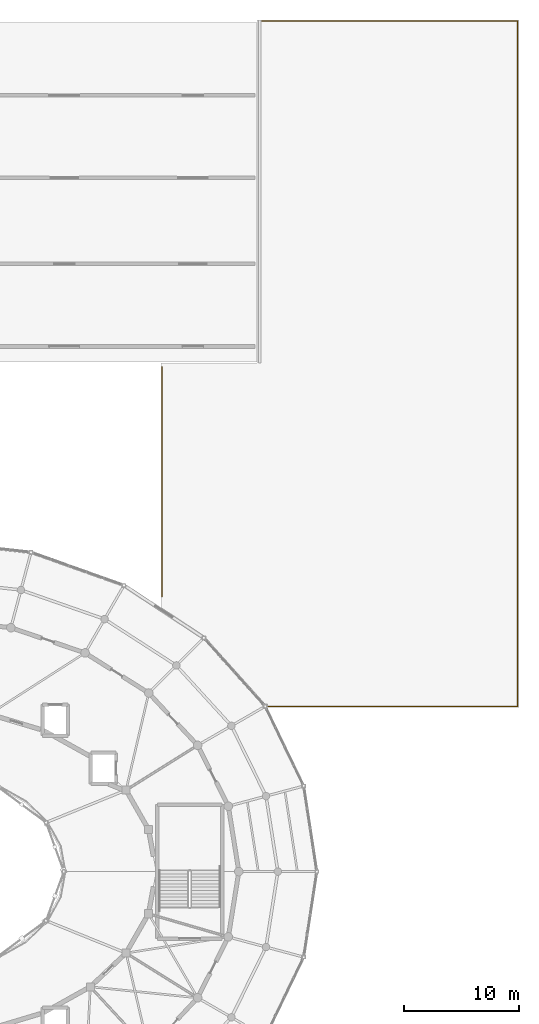
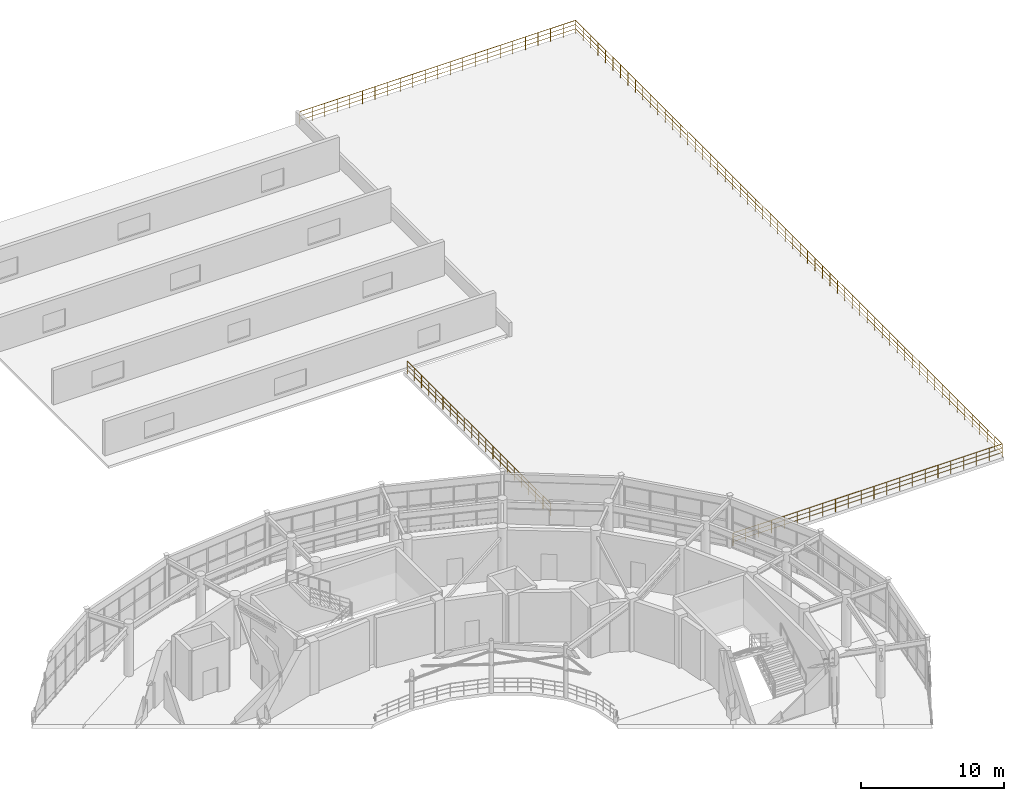
# One storey, part 60 of 60: 4 railings.
"""IFC4 building model written with IfcOpenShell, lengths in metres."""

from ifc_helpers import new_model, si_unit, direction, frame, origin, origin_2d, place, context, subcontext, project, spatial, circle, extrude, material, type_object, element, save


model = new_model("IFC4")

# Units and contexts
model_context = context("Model", 3, precision=1e-05, world=origin(), true_north=direction((0.0, 1.0)))
body_context = subcontext(model_context, "Body", "Model", "MODEL_VIEW")
ifc_project = project(units=[si_unit("LENGTHUNIT", "METRE"), si_unit("AREAUNIT", "SQUARE_METRE"), si_unit("VOLUMEUNIT", "CUBIC_METRE"), si_unit("PLANEANGLEUNIT", "RADIAN"), si_unit("MASSUNIT", "GRAM", prefix="KILO")], contexts=[model_context])

# Site, building, storey
site_placement = place(None, origin())
site = spatial("IfcSite", under=ifc_project, at=site_placement, CompositionType="ELEMENT")
building_placement = place(site_placement, origin())
building = spatial("IfcBuilding", under=site, at=building_placement, Name="Cinderbank Siding Concert Hall", CompositionType="ELEMENT")
storey_placement = place(building_placement, frame((0.0, 0.0, 14.699951171875)))
storey = spatial("IfcBuildingStorey", under=building, at=storey_placement, Name="L04", CompositionType="ELEMENT", Elevation=14.699951171875)

# Railings
ifc_material = material(Name="Structural steel AS/NZS 3679.1 Grade 350 (340 MPa)", Category="steel")
railing_type = type_object("IfcRailingType", Name="GD-01 Terrace & Perimeter Guardrail 1120mm", PredefinedType="GUARDRAIL", material=ifc_material)
railing_1_placement = place(storey_placement, frame((142.10009765625, 67.96435546875, 0.0)))
element("IfcRailing", 1, at=railing_1_placement, inside=storey, type_object=railing_type, Name="L04 Perimeter Guardrail #83", PredefinedType="GUARDRAIL", context=body_context, shape_type="SweptSolid", body=[
    extrude(circle(Radius=0.02392578125, at=origin_2d()), frame((0.0, 0.0, 1.09619140625), z_axis=(0.0, 1.0, 0.0), x_axis=(-1.0, 0.0, 0.0)), (0.0, 0.0, 1.0), 20.015625),
    extrude(circle(Radius=0.01611328125, at=origin_2d()), frame((0.0, 0.0, 0.36962890625), z_axis=(0.0, 1.0, 0.0), x_axis=(-1.0, 0.0, 0.0)), (0.0, 0.0, 1.0), 20.015625),
    extrude(circle(Radius=0.01611328125, at=origin_2d()), frame((0.0, 0.0, 0.7392578125), z_axis=(0.0, 1.0, 0.0), x_axis=(-1.0, 0.0, 0.0)), (0.0, 0.0, 1.0), 20.015625),
    extrude(circle(Radius=0.02099609375, at=origin_2d()), origin(), (0.0, 0.0, 1.0), 1.072021484375),
    extrude(circle(Radius=0.02099609375, at=origin_2d()), frame((0.0, 1.000732421875, 0.0)), (0.0, 0.0, 1.0), 1.072021484375),
    extrude(circle(Radius=0.02099609375, at=origin_2d()), frame((0.0, 2.00146484375, 0.0)), (0.0, 0.0, 1.0), 1.072021484375),
    extrude(circle(Radius=0.02099609375, at=origin_2d()), frame((0.0, 3.00244140625, 0.0)), (0.0, 0.0, 1.0), 1.072021484375),
    extrude(circle(Radius=0.02099609375, at=origin_2d()), frame((0.0, 4.003173828125, 0.0)), (0.0, 0.0, 1.0), 1.072021484375),
    extrude(circle(Radius=0.02099609375, at=origin_2d()), frame((0.0, 5.00390625, 0.0)), (0.0, 0.0, 1.0), 1.072021484375),
    extrude(circle(Radius=0.02099609375, at=origin_2d()), frame((0.0, 6.004638671875, 0.0)), (0.0, 0.0, 1.0), 1.072021484375),
    extrude(circle(Radius=0.02099609375, at=origin_2d()), frame((0.0, 7.00537109375, 0.0)), (0.0, 0.0, 1.0), 1.072021484375),
    extrude(circle(Radius=0.02099609375, at=origin_2d()), frame((0.0, 8.00634765625, 0.0)), (0.0, 0.0, 1.0), 1.072021484375),
    extrude(circle(Radius=0.02099609375, at=origin_2d()), frame((0.0, 9.007080078125, 0.0)), (0.0, 0.0, 1.0), 1.072021484375),
    extrude(circle(Radius=0.02099609375, at=origin_2d()), frame((0.0, 10.0078125, 0.0)), (0.0, 0.0, 1.0), 1.072021484375),
    extrude(circle(Radius=0.02099609375, at=origin_2d()), frame((0.0, 11.008544921875, 0.0)), (0.0, 0.0, 1.0), 1.072021484375),
    extrude(circle(Radius=0.02099609375, at=origin_2d()), frame((0.0, 12.00927734375, 0.0)), (0.0, 0.0, 1.0), 1.072021484375),
    extrude(circle(Radius=0.02099609375, at=origin_2d()), frame((0.0, 13.01025390625, 0.0)), (0.0, 0.0, 1.0), 1.072021484375),
    extrude(circle(Radius=0.02099609375, at=origin_2d()), frame((0.0, 14.010986328125, 0.0)), (0.0, 0.0, 1.0), 1.072021484375),
    extrude(circle(Radius=0.02099609375, at=origin_2d()), frame((0.0, 15.01171875, 0.0)), (0.0, 0.0, 1.0), 1.072021484375),
    extrude(circle(Radius=0.02099609375, at=origin_2d()), frame((0.0, 16.012451171875, 0.0)), (0.0, 0.0, 1.0), 1.072021484375),
    extrude(circle(Radius=0.02099609375, at=origin_2d()), frame((0.0, 17.01318359375, 0.0)), (0.0, 0.0, 1.0), 1.072021484375),
    extrude(circle(Radius=0.02099609375, at=origin_2d()), frame((0.0, 18.01416015625, 0.0)), (0.0, 0.0, 1.0), 1.072021484375),
    extrude(circle(Radius=0.02099609375, at=origin_2d()), frame((0.0, 19.014892578125, 0.0)), (0.0, 0.0, 1.0), 1.072021484375),
    extrude(circle(Radius=0.02099609375, at=origin_2d()), frame((0.0, 20.015625, 0.0)), (0.0, 0.0, 1.0), 1.072021484375),
])
railing_2_placement = place(storey_placement, frame((150.807373046875, 118.10009765625, 0.0)))
element("IfcRailing", 2, at=railing_2_placement, inside=storey, type_object=railing_type, Name="L04 Perimeter Guardrail #84", PredefinedType="GUARDRAIL", context=body_context, shape_type="SweptSolid", body=[
    extrude(circle(Radius=0.02392578125, at=origin_2d()), frame((0.0, 0.0, 1.09619140625), z_axis=(1.0, 0.0, 0.0), x_axis=(0.0, 1.0, 0.0)), (0.0, 0.0, 1.0), 22.292724609375),
    extrude(circle(Radius=0.01611328125, at=origin_2d()), frame((0.0, 0.0, 0.36962890625), z_axis=(1.0, 0.0, 0.0), x_axis=(0.0, 1.0, 0.0)), (0.0, 0.0, 1.0), 22.292724609375),
    extrude(circle(Radius=0.01611328125, at=origin_2d()), frame((0.0, 0.0, 0.7392578125), z_axis=(1.0, 0.0, 0.0), x_axis=(0.0, 1.0, 0.0)), (0.0, 0.0, 1.0), 22.292724609375),
    extrude(circle(Radius=0.02099609375, at=origin_2d()), origin(), (0.0, 0.0, 1.0), 1.072021484375),
    extrude(circle(Radius=0.02099609375, at=origin_2d()), frame((1.01318359375, 0.0, 0.0)), (0.0, 0.0, 1.0), 1.072021484375),
    extrude(circle(Radius=0.02099609375, at=origin_2d()), frame((2.026611328125, 0.0, 0.0)), (0.0, 0.0, 1.0), 1.072021484375),
    extrude(circle(Radius=0.02099609375, at=origin_2d()), frame((3.039794921875, 0.0, 0.0)), (0.0, 0.0, 1.0), 1.072021484375),
    extrude(circle(Radius=0.02099609375, at=origin_2d()), frame((4.05322265625, 0.0, 0.0)), (0.0, 0.0, 1.0), 1.072021484375),
    extrude(circle(Radius=0.02099609375, at=origin_2d()), frame((5.06640625, 0.0, 0.0)), (0.0, 0.0, 1.0), 1.072021484375),
    extrude(circle(Radius=0.02099609375, at=origin_2d()), frame((6.079833984375, 0.0, 0.0)), (0.0, 0.0, 1.0), 1.072021484375),
    extrude(circle(Radius=0.02099609375, at=origin_2d()), frame((7.09326171875, 0.0, 0.0)), (0.0, 0.0, 1.0), 1.072021484375),
    extrude(circle(Radius=0.02099609375, at=origin_2d()), frame((8.1064453125, 0.0, 0.0)), (0.0, 0.0, 1.0), 1.072021484375),
    extrude(circle(Radius=0.02099609375, at=origin_2d()), frame((9.11962890625, 0.0, 0.0)), (0.0, 0.0, 1.0), 1.072021484375),
    extrude(circle(Radius=0.02099609375, at=origin_2d()), frame((10.133056640625, 0.0, 0.0)), (0.0, 0.0, 1.0), 1.072021484375),
    extrude(circle(Radius=0.02099609375, at=origin_2d()), frame((11.146484375, 0.0, 0.0)), (0.0, 0.0, 1.0), 1.072021484375),
    extrude(circle(Radius=0.02099609375, at=origin_2d()), frame((12.15966796875, 0.0, 0.0)), (0.0, 0.0, 1.0), 1.072021484375),
    extrude(circle(Radius=0.02099609375, at=origin_2d()), frame((13.1728515625, 0.0, 0.0)), (0.0, 0.0, 1.0), 1.072021484375),
    extrude(circle(Radius=0.02099609375, at=origin_2d()), frame((14.186279296875, 0.0, 0.0)), (0.0, 0.0, 1.0), 1.072021484375),
    extrude(circle(Radius=0.02099609375, at=origin_2d()), frame((15.199462890625, 0.0, 0.0)), (0.0, 0.0, 1.0), 1.072021484375),
    extrude(circle(Radius=0.02099609375, at=origin_2d()), frame((16.212890625, 0.0, 0.0)), (0.0, 0.0, 1.0), 1.072021484375),
    extrude(circle(Radius=0.02099609375, at=origin_2d()), frame((17.22607421875, 0.0, 0.0)), (0.0, 0.0, 1.0), 1.072021484375),
    extrude(circle(Radius=0.02099609375, at=origin_2d()), frame((18.239501953125, 0.0, 0.0)), (0.0, 0.0, 1.0), 1.072021484375),
    extrude(circle(Radius=0.02099609375, at=origin_2d()), frame((19.2529296875, 0.0, 0.0)), (0.0, 0.0, 1.0), 1.072021484375),
    extrude(circle(Radius=0.02099609375, at=origin_2d()), frame((20.26611328125, 0.0, 0.0)), (0.0, 0.0, 1.0), 1.072021484375),
    extrude(circle(Radius=0.02099609375, at=origin_2d()), frame((21.279296875, 0.0, 0.0)), (0.0, 0.0, 1.0), 1.072021484375),
    extrude(circle(Radius=0.02099609375, at=origin_2d()), frame((22.292724609375, 0.0, 0.0)), (0.0, 0.0, 1.0), 1.072021484375),
])
railing_3_placement = place(storey_placement, frame((173.10009765625, 118.10009765625, 0.0)))
element("IfcRailing", 3, at=railing_3_placement, inside=storey, type_object=railing_type, Name="L04 Perimeter Guardrail #85", PredefinedType="GUARDRAIL", context=body_context, shape_type="SweptSolid", body=[
    extrude(circle(Radius=0.02392578125, at=origin_2d()), frame((0.0, 0.0, 1.09619140625), z_axis=(0.0, -1.0, 0.0), x_axis=(1.0, 0.0, 0.0)), (0.0, 0.0, 1.0), 59.7001953125),
    extrude(circle(Radius=0.01611328125, at=origin_2d()), frame((0.0, 0.0, 0.36962890625), z_axis=(0.0, -1.0, 0.0), x_axis=(1.0, 0.0, 0.0)), (0.0, 0.0, 1.0), 59.7001953125),
    extrude(circle(Radius=0.01611328125, at=origin_2d()), frame((0.0, 0.0, 0.7392578125), z_axis=(0.0, -1.0, 0.0), x_axis=(1.0, 0.0, 0.0)), (0.0, 0.0, 1.0), 59.7001953125),
    extrude(circle(Radius=0.02099609375, at=origin_2d()), origin(), (0.0, 0.0, 1.0), 1.072021484375),
    extrude(circle(Radius=0.02099609375, at=origin_2d()), frame((0.0, -1.04736328125, 0.0)), (0.0, 0.0, 1.0), 1.072021484375),
    extrude(circle(Radius=0.02099609375, at=origin_2d()), frame((0.0, -2.0947265625, 0.0)), (0.0, 0.0, 1.0), 1.072021484375),
    extrude(circle(Radius=0.02099609375, at=origin_2d()), frame((0.0, -3.14208984375, 0.0)), (0.0, 0.0, 1.0), 1.072021484375),
    extrude(circle(Radius=0.02099609375, at=origin_2d()), frame((0.0, -4.189453125, 0.0)), (0.0, 0.0, 1.0), 1.072021484375),
    extrude(circle(Radius=0.02099609375, at=origin_2d()), frame((0.0, -5.23681640625, 0.0)), (0.0, 0.0, 1.0), 1.072021484375),
    extrude(circle(Radius=0.02099609375, at=origin_2d()), frame((0.0, -6.2841796875, 0.0)), (0.0, 0.0, 1.0), 1.072021484375),
    extrude(circle(Radius=0.02099609375, at=origin_2d()), frame((0.0, -7.33154296875, 0.0)), (0.0, 0.0, 1.0), 1.072021484375),
    extrude(circle(Radius=0.02099609375, at=origin_2d()), frame((0.0, -8.37890625, 0.0)), (0.0, 0.0, 1.0), 1.072021484375),
    extrude(circle(Radius=0.02099609375, at=origin_2d()), frame((0.0, -9.42626953125, 0.0)), (0.0, 0.0, 1.0), 1.072021484375),
    extrude(circle(Radius=0.02099609375, at=origin_2d()), frame((0.0, -10.4736328125, 0.0)), (0.0, 0.0, 1.0), 1.072021484375),
    extrude(circle(Radius=0.02099609375, at=origin_2d()), frame((0.0, -11.52099609375, 0.0)), (0.0, 0.0, 1.0), 1.072021484375),
    extrude(circle(Radius=0.02099609375, at=origin_2d()), frame((0.0, -12.568359375, 0.0)), (0.0, 0.0, 1.0), 1.072021484375),
    extrude(circle(Radius=0.02099609375, at=origin_2d()), frame((0.0, -13.61572265625, 0.0)), (0.0, 0.0, 1.0), 1.072021484375),
    extrude(circle(Radius=0.02099609375, at=origin_2d()), frame((0.0, -14.6630859375, 0.0)), (0.0, 0.0, 1.0), 1.072021484375),
    extrude(circle(Radius=0.02099609375, at=origin_2d()), frame((0.0, -15.710693359375, 0.0)), (0.0, 0.0, 1.0), 1.072021484375),
    extrude(circle(Radius=0.02099609375, at=origin_2d()), frame((0.0, -16.758056640625, 0.0)), (0.0, 0.0, 1.0), 1.072021484375),
    extrude(circle(Radius=0.02099609375, at=origin_2d()), frame((0.0, -17.805419921875, 0.0)), (0.0, 0.0, 1.0), 1.072021484375),
    extrude(circle(Radius=0.02099609375, at=origin_2d()), frame((0.0, -18.852783203125, 0.0)), (0.0, 0.0, 1.0), 1.072021484375),
    extrude(circle(Radius=0.02099609375, at=origin_2d()), frame((0.0, -19.900146484375, 0.0)), (0.0, 0.0, 1.0), 1.072021484375),
    extrude(circle(Radius=0.02099609375, at=origin_2d()), frame((0.0, -20.947509765625, 0.0)), (0.0, 0.0, 1.0), 1.072021484375),
    extrude(circle(Radius=0.02099609375, at=origin_2d()), frame((0.0, -21.994873046875, 0.0)), (0.0, 0.0, 1.0), 1.072021484375),
    extrude(circle(Radius=0.02099609375, at=origin_2d()), frame((0.0, -23.042236328125, 0.0)), (0.0, 0.0, 1.0), 1.072021484375),
    extrude(circle(Radius=0.02099609375, at=origin_2d()), frame((0.0, -24.089599609375, 0.0)), (0.0, 0.0, 1.0), 1.072021484375),
    extrude(circle(Radius=0.02099609375, at=origin_2d()), frame((0.0, -25.136962890625, 0.0)), (0.0, 0.0, 1.0), 1.072021484375),
    extrude(circle(Radius=0.02099609375, at=origin_2d()), frame((0.0, -26.184326171875, 0.0)), (0.0, 0.0, 1.0), 1.072021484375),
    extrude(circle(Radius=0.02099609375, at=origin_2d()), frame((0.0, -27.231689453125, 0.0)), (0.0, 0.0, 1.0), 1.072021484375),
    extrude(circle(Radius=0.02099609375, at=origin_2d()), frame((0.0, -28.279052734375, 0.0)), (0.0, 0.0, 1.0), 1.072021484375),
    extrude(circle(Radius=0.02099609375, at=origin_2d()), frame((0.0, -29.326416015625, 0.0)), (0.0, 0.0, 1.0), 1.072021484375),
    extrude(circle(Radius=0.02099609375, at=origin_2d()), frame((0.0, -30.373779296875, 0.0)), (0.0, 0.0, 1.0), 1.072021484375),
    extrude(circle(Radius=0.02099609375, at=origin_2d()), frame((0.0, -31.421142578125, 0.0)), (0.0, 0.0, 1.0), 1.072021484375),
    extrude(circle(Radius=0.02099609375, at=origin_2d()), frame((0.0, -32.468505859375, 0.0)), (0.0, 0.0, 1.0), 1.072021484375),
    extrude(circle(Radius=0.02099609375, at=origin_2d()), frame((0.0, -33.515869140625, 0.0)), (0.0, 0.0, 1.0), 1.072021484375),
    extrude(circle(Radius=0.02099609375, at=origin_2d()), frame((0.0, -34.563232421875, 0.0)), (0.0, 0.0, 1.0), 1.072021484375),
    extrude(circle(Radius=0.02099609375, at=origin_2d()), frame((0.0, -35.610595703125, 0.0)), (0.0, 0.0, 1.0), 1.072021484375),
    extrude(circle(Radius=0.02099609375, at=origin_2d()), frame((0.0, -36.657958984375, 0.0)), (0.0, 0.0, 1.0), 1.072021484375),
    extrude(circle(Radius=0.02099609375, at=origin_2d()), frame((0.0, -37.705322265625, 0.0)), (0.0, 0.0, 1.0), 1.072021484375),
    extrude(circle(Radius=0.02099609375, at=origin_2d()), frame((0.0, -38.752685546875, 0.0)), (0.0, 0.0, 1.0), 1.072021484375),
    extrude(circle(Radius=0.02099609375, at=origin_2d()), frame((0.0, -39.800048828125, 0.0)), (0.0, 0.0, 1.0), 1.072021484375),
    extrude(circle(Radius=0.02099609375, at=origin_2d()), frame((0.0, -40.847412109375, 0.0)), (0.0, 0.0, 1.0), 1.072021484375),
    extrude(circle(Radius=0.02099609375, at=origin_2d()), frame((0.0, -41.894775390625, 0.0)), (0.0, 0.0, 1.0), 1.072021484375),
    extrude(circle(Radius=0.02099609375, at=origin_2d()), frame((0.0, -42.942138671875, 0.0)), (0.0, 0.0, 1.0), 1.072021484375),
    extrude(circle(Radius=0.02099609375, at=origin_2d()), frame((0.0, -43.989501953125, 0.0)), (0.0, 0.0, 1.0), 1.072021484375),
    extrude(circle(Radius=0.02099609375, at=origin_2d()), frame((0.0, -45.037109375, 0.0)), (0.0, 0.0, 1.0), 1.072021484375),
    extrude(circle(Radius=0.02099609375, at=origin_2d()), frame((0.0, -46.08447265625, 0.0)), (0.0, 0.0, 1.0), 1.072021484375),
    extrude(circle(Radius=0.02099609375, at=origin_2d()), frame((0.0, -47.1318359375, 0.0)), (0.0, 0.0, 1.0), 1.072021484375),
    extrude(circle(Radius=0.02099609375, at=origin_2d()), frame((0.0, -48.17919921875, 0.0)), (0.0, 0.0, 1.0), 1.072021484375),
    extrude(circle(Radius=0.02099609375, at=origin_2d()), frame((0.0, -49.2265625, 0.0)), (0.0, 0.0, 1.0), 1.072021484375),
    extrude(circle(Radius=0.02099609375, at=origin_2d()), frame((0.0, -50.27392578125, 0.0)), (0.0, 0.0, 1.0), 1.072021484375),
    extrude(circle(Radius=0.02099609375, at=origin_2d()), frame((0.0, -51.3212890625, 0.0)), (0.0, 0.0, 1.0), 1.072021484375),
    extrude(circle(Radius=0.02099609375, at=origin_2d()), frame((0.0, -52.36865234375, 0.0)), (0.0, 0.0, 1.0), 1.072021484375),
    extrude(circle(Radius=0.02099609375, at=origin_2d()), frame((0.0, -53.416015625, 0.0)), (0.0, 0.0, 1.0), 1.072021484375),
    extrude(circle(Radius=0.02099609375, at=origin_2d()), frame((0.0, -54.46337890625, 0.0)), (0.0, 0.0, 1.0), 1.072021484375),
    extrude(circle(Radius=0.02099609375, at=origin_2d()), frame((0.0, -55.5107421875, 0.0)), (0.0, 0.0, 1.0), 1.072021484375),
    extrude(circle(Radius=0.02099609375, at=origin_2d()), frame((0.0, -56.55810546875, 0.0)), (0.0, 0.0, 1.0), 1.072021484375),
    extrude(circle(Radius=0.02099609375, at=origin_2d()), frame((0.0, -57.60546875, 0.0)), (0.0, 0.0, 1.0), 1.072021484375),
    extrude(circle(Radius=0.02099609375, at=origin_2d()), frame((0.0, -58.65283203125, 0.0)), (0.0, 0.0, 1.0), 1.072021484375),
    extrude(circle(Radius=0.02099609375, at=origin_2d()), frame((0.0, -59.7001953125, 0.0)), (0.0, 0.0, 1.0), 1.072021484375),
])
railing_4_placement = place(storey_placement, frame((173.10009765625, 58.39990234375, 0.0)))
element("IfcRailing", 4, at=railing_4_placement, inside=storey, type_object=railing_type, Name="L04 Perimeter Guardrail #86", PredefinedType="GUARDRAIL", context=body_context, shape_type="SweptSolid", body=[
    extrude(circle(Radius=0.02392578125, at=origin_2d()), frame((0.0, 0.0, 1.09619140625), z_axis=(-1.0, 0.0, 0.0), x_axis=(0.0, -1.0, 0.0)), (0.0, 0.0, 1.0), 21.74267578125),
    extrude(circle(Radius=0.01611328125, at=origin_2d()), frame((0.0, 0.0, 0.36962890625), z_axis=(-1.0, 0.0, 0.0), x_axis=(0.0, -1.0, 0.0)), (0.0, 0.0, 1.0), 21.74267578125),
    extrude(circle(Radius=0.01611328125, at=origin_2d()), frame((0.0, 0.0, 0.7392578125), z_axis=(-1.0, 0.0, 0.0), x_axis=(0.0, -1.0, 0.0)), (0.0, 0.0, 1.0), 21.74267578125),
    extrude(circle(Radius=0.02099609375, at=origin_2d()), origin(), (0.0, 0.0, 1.0), 1.072021484375),
    extrude(circle(Radius=0.02099609375, at=origin_2d()), frame((-1.035400390625, 0.0, 0.0)), (0.0, 0.0, 1.0), 1.072021484375),
    extrude(circle(Radius=0.02099609375, at=origin_2d()), frame((-2.07080078125, 0.0, 0.0)), (0.0, 0.0, 1.0), 1.072021484375),
    extrude(circle(Radius=0.02099609375, at=origin_2d()), frame((-3.106201171875, 0.0, 0.0)), (0.0, 0.0, 1.0), 1.072021484375),
    extrude(circle(Radius=0.02099609375, at=origin_2d()), frame((-4.141357421875, 0.0, 0.0)), (0.0, 0.0, 1.0), 1.072021484375),
    extrude(circle(Radius=0.02099609375, at=origin_2d()), frame((-5.1767578125, 0.0, 0.0)), (0.0, 0.0, 1.0), 1.072021484375),
    extrude(circle(Radius=0.02099609375, at=origin_2d()), frame((-6.212158203125, 0.0, 0.0)), (0.0, 0.0, 1.0), 1.072021484375),
    extrude(circle(Radius=0.02099609375, at=origin_2d()), frame((-7.24755859375, 0.0, 0.0)), (0.0, 0.0, 1.0), 1.072021484375),
    extrude(circle(Radius=0.02099609375, at=origin_2d()), frame((-8.282958984375, 0.0, 0.0)), (0.0, 0.0, 1.0), 1.072021484375),
    extrude(circle(Radius=0.02099609375, at=origin_2d()), frame((-9.318359375, 0.0, 0.0)), (0.0, 0.0, 1.0), 1.072021484375),
    extrude(circle(Radius=0.02099609375, at=origin_2d()), frame((-10.353759765625, 0.0, 0.0)), (0.0, 0.0, 1.0), 1.072021484375),
    extrude(circle(Radius=0.02099609375, at=origin_2d()), frame((-11.388916015625, 0.0, 0.0)), (0.0, 0.0, 1.0), 1.072021484375),
    extrude(circle(Radius=0.02099609375, at=origin_2d()), frame((-12.42431640625, 0.0, 0.0)), (0.0, 0.0, 1.0), 1.072021484375),
    extrude(circle(Radius=0.02099609375, at=origin_2d()), frame((-13.459716796875, 0.0, 0.0)), (0.0, 0.0, 1.0), 1.072021484375),
    extrude(circle(Radius=0.02099609375, at=origin_2d()), frame((-14.4951171875, 0.0, 0.0)), (0.0, 0.0, 1.0), 1.072021484375),
    extrude(circle(Radius=0.02099609375, at=origin_2d()), frame((-15.530517578125, 0.0, 0.0)), (0.0, 0.0, 1.0), 1.072021484375),
    extrude(circle(Radius=0.02099609375, at=origin_2d()), frame((-16.56591796875, 0.0, 0.0)), (0.0, 0.0, 1.0), 1.072021484375),
    extrude(circle(Radius=0.02099609375, at=origin_2d()), frame((-17.601318359375, 0.0, 0.0)), (0.0, 0.0, 1.0), 1.072021484375),
    extrude(circle(Radius=0.02099609375, at=origin_2d()), frame((-18.636474609375, 0.0, 0.0)), (0.0, 0.0, 1.0), 1.072021484375),
    extrude(circle(Radius=0.02099609375, at=origin_2d()), frame((-19.671875, 0.0, 0.0)), (0.0, 0.0, 1.0), 1.072021484375),
    extrude(circle(Radius=0.02099609375, at=origin_2d()), frame((-20.707275390625, 0.0, 0.0)), (0.0, 0.0, 1.0), 1.072021484375),
    extrude(circle(Radius=0.02099609375, at=origin_2d()), frame((-21.74267578125, 0.0, 0.0)), (0.0, 0.0, 1.0), 1.072021484375),
])

save(model, "model.ifc")
